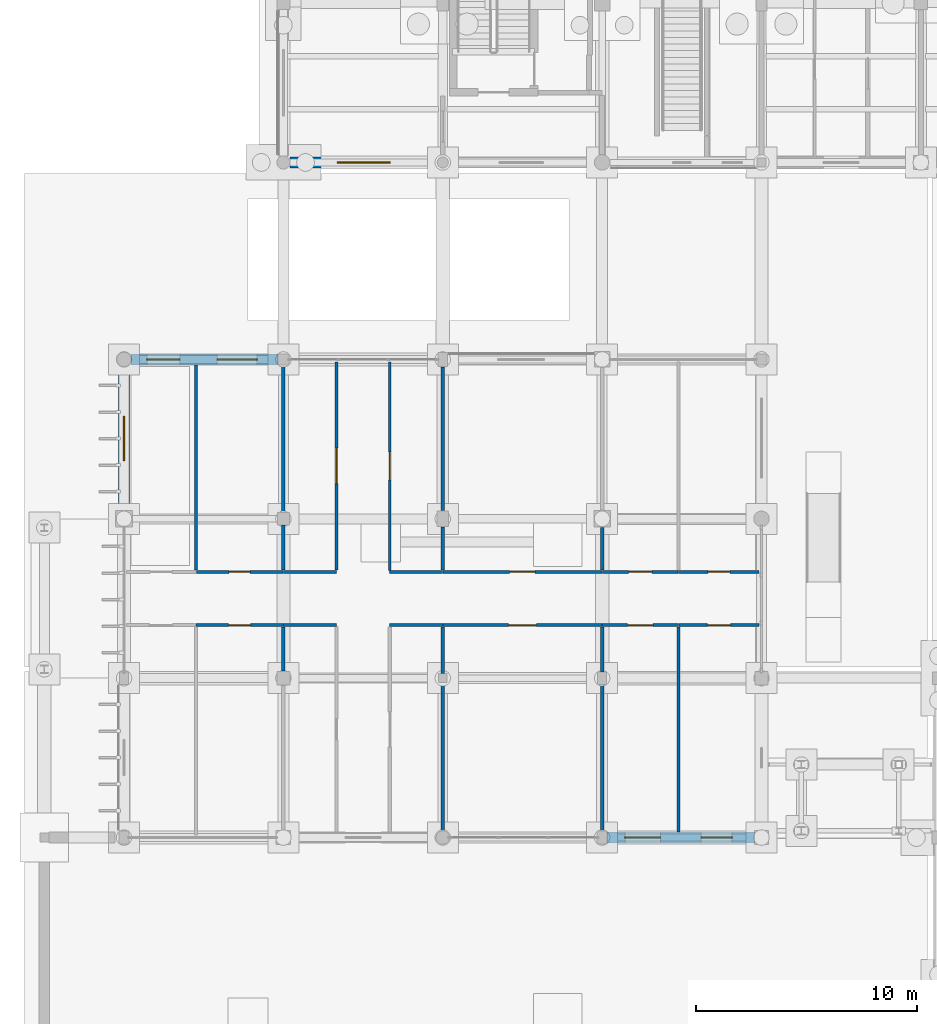
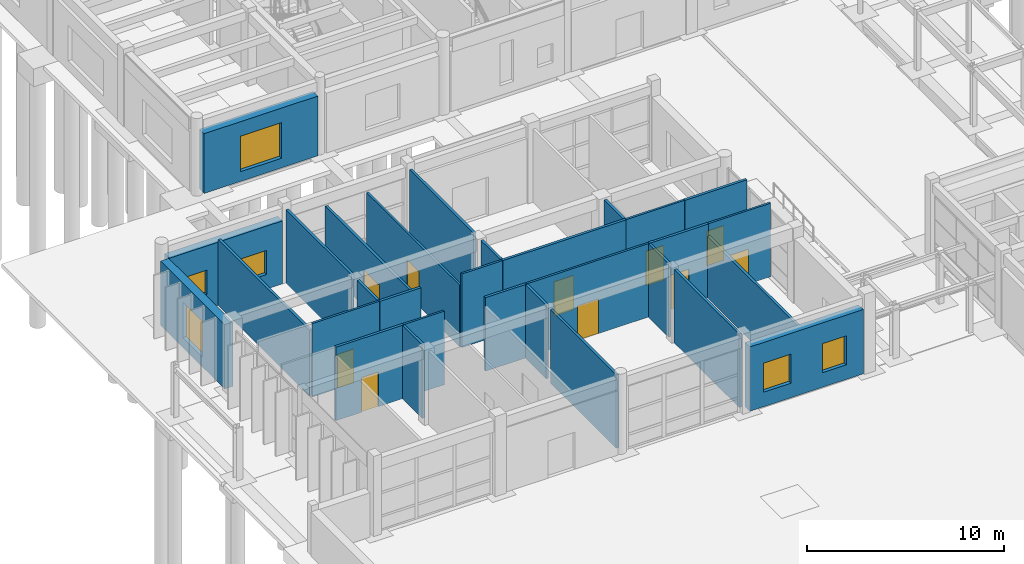
# One storey, part 96 of 143: 30 walls, 10 doors, 6 windows, 16 openings.
"""IFC4 building model written with IfcOpenShell, lengths in metres."""

from ifc_helpers import new_model, si_unit, direction, frame, frame_2d, origin, place, context, subcontext, project, spatial, rectangle, extrude, material, layer, layer_set, type_object, element, fill, save


model = new_model("IFC4")

# Units and contexts
model_context = context("Model", 3, precision=1e-05, world=origin(), true_north=direction((0.0, 1.0)))
body_context = subcontext(model_context, "Body", "Model", "MODEL_VIEW")
ifc_project = project(units=[si_unit("LENGTHUNIT", "METRE"), si_unit("AREAUNIT", "SQUARE_METRE"), si_unit("VOLUMEUNIT", "CUBIC_METRE"), si_unit("PLANEANGLEUNIT", "RADIAN"), si_unit("MASSUNIT", "GRAM", prefix="KILO")], contexts=[model_context])

# Site, building, storey
site_placement = place(None, origin())
site = spatial("IfcSite", under=ifc_project, at=site_placement, CompositionType="ELEMENT")
building_placement = place(site_placement, origin())
building = spatial("IfcBuilding", under=site, at=building_placement, Name="Steenspoor Specialist Clinic", CompositionType="ELEMENT")
storey_placement = place(building_placement, origin())
storey = spatial("IfcBuildingStorey", under=building, at=storey_placement, Name="L00", CompositionType="ELEMENT", Elevation=0.0)

# Wall, openings, windows
ifc_material_1 = material(Name="Volcanic basalt ashlar masonry", Category="masonry")
ifc_layer_1 = layer(ifc_material_1, 0.47998046875)
ifc_layer_set_1 = layer_set([ifc_layer_1], Name="Volcanic basalt ashlar masonry")
wall_type_1 = type_object("IfcWallType", Name="W-BASALT-480", PredefinedType="SOLIDWALL", material=ifc_layer_set_1)
wall_1_placement = place(storey_placement, frame((36.875, 34.64990234375, 0.0), z_axis=(0.0, 0.0, 1.0), x_axis=(-1.0, 0.0, 0.0)))
wall_1 = element("IfcWall", 1, at=wall_1_placement, inside=storey, type_object=wall_type_1, Name="Exterior Brick Wall EW-V3-L00-0070", PredefinedType="SOLIDWALL", context=body_context, shape_type="SweptSolid", body=[
    extrude(rectangle(XDim=6.64990234375, YDim=0.47998046875, at=frame_2d((3.324951171875, 0.0))), origin(), (0.0, 0.0, 1.0), 3.97998046875),
])
opening_1_placement = place(wall_1_placement, frame((1.00244140625, 0.0, 0.89990234375)))
opening_1 = element("IfcOpeningElement", 2, at=opening_1_placement, cuts=wall_1, Name="Opening WN-06", PredefinedType="OPENING", context=body_context, shape_type="SweptSolid", body=[
    extrude(rectangle(XDim=1.39990234375, YDim=1.800048828125, at=frame_2d((0.699951171875, 0.89990234375))), frame((0.0, 0.25, 0.0), z_axis=(0.0, -1.0, 0.0), x_axis=(1.0, 0.0, 0.0)), (0.0, 0.0, 1.0), 0.5),
])
opening_2_placement = place(wall_1_placement, frame((4.24755859375, 0.0, 0.89990234375)))
opening_2 = element("IfcOpeningElement", 3, at=opening_2_placement, cuts=wall_1, Name="Opening WN-07", PredefinedType="OPENING", context=body_context, shape_type="SweptSolid", body=[
    extrude(rectangle(XDim=1.60009765625, YDim=1.800048828125, at=frame_2d((0.800048828125, 0.89990234375))), frame((0.0, 0.25, 0.0), z_axis=(0.0, -1.0, 0.0), x_axis=(1.0, 0.0, 0.0)), (0.0, 0.0, 1.0), 0.5),
])
ifc_material_2 = material(Name="Thermally broken aluminium and low-emissivity glass", Category="aluminium")
window_type_1 = type_object("IfcWindowType", Name="WN-EXT-140X180", PartitioningType="SINGLE_PANEL", PredefinedType="WINDOW", material=ifc_material_2)
window_1_placement = place(opening_1_placement, origin())
window_1 = element("IfcWindow", 4, at=window_1_placement, inside=storey, type_object=window_type_1, Name="Window 0086", OverallHeight=1.800048828125, OverallWidth=1.39990234375, PartitioningType="SINGLE_PANEL", PredefinedType="WINDOW", context=body_context, shape_type="SweptSolid", body=[
    extrude(rectangle(XDim=1.39990234375, YDim=1.800048828125, at=frame_2d((0.699951171875, 0.89990234375))), frame((0.0, 0.030029296875, 0.0), z_axis=(0.0, -1.0, 0.0), x_axis=(1.0, 0.0, 0.0)), (0.0, 0.0, 1.0), 0.06005859375),
])
fill(opening_1, window_1)
window_type_2 = type_object("IfcWindowType", Name="WN-EXT-160X180", PartitioningType="SINGLE_PANEL", PredefinedType="WINDOW", material=ifc_material_2)
window_2_placement = place(opening_2_placement, origin())
window_2 = element("IfcWindow", 5, at=window_2_placement, inside=storey, type_object=window_type_2, Name="Window 0087", OverallHeight=1.800048828125, OverallWidth=1.60009765625, PartitioningType="SINGLE_PANEL", PredefinedType="WINDOW", context=body_context, shape_type="SweptSolid", body=[
    extrude(rectangle(XDim=1.60009765625, YDim=1.800048828125, at=frame_2d((0.800048828125, 0.89990234375))), frame((0.0, 0.030029296875, 0.0), z_axis=(0.0, -1.0, 0.0), x_axis=(1.0, 0.0, 0.0)), (0.0, 0.0, 1.0), 0.06005859375),
])
fill(opening_2, window_2)

# Wall, opening, window
wall_2_placement = place(storey_placement, frame((8.39990234375, 49.425048828125, 0.0), z_axis=(0.0, 0.0, 1.0), x_axis=(0.0, 1.0, 0.0)))
wall_2 = element("IfcWall", 6, at=wall_2_placement, inside=storey, type_object=wall_type_1, Name="Exterior Brick Wall EW-V3-L00-0073", PredefinedType="SOLIDWALL", context=body_context, shape_type="SweptSolid", body=[
    extrude(rectangle(XDim=6.5, YDim=0.47998046875, at=frame_2d((3.25, 0.0))), origin(), (0.0, 0.0, 1.0), 3.97998046875),
])
opening_3_placement = place(wall_2_placement, frame((2.25, 0.0, 0.60009765625)))
opening_3 = element("IfcOpeningElement", 7, at=opening_3_placement, cuts=wall_2, Name="Opening WN-17", PredefinedType="OPENING", context=body_context, shape_type="SweptSolid", body=[
    extrude(rectangle(XDim=2.0, YDim=2.199951171875, at=frame_2d((1.0, 1.10009765625))), frame((0.0, 0.25, 0.0), z_axis=(0.0, -1.0, 0.0), x_axis=(1.0, 0.0, 0.0)), (0.0, 0.0, 1.0), 0.5),
])
window_type_3 = type_object("IfcWindowType", Name="WN-EXT-200X220", PartitioningType="SINGLE_PANEL", PredefinedType="WINDOW", material=ifc_material_2)
window_3_placement = place(opening_3_placement, origin())
window_3 = element("IfcWindow", 8, at=window_3_placement, inside=storey, type_object=window_type_3, Name="Window 0089", OverallHeight=2.199951171875, OverallWidth=2.0, PartitioningType="SINGLE_PANEL", PredefinedType="WINDOW", context=body_context, shape_type="SweptSolid", body=[
    extrude(rectangle(XDim=2.0, YDim=2.199951171875, at=frame_2d((1.0, 1.10009765625))), frame((0.0, 0.030029296875, 0.0), z_axis=(0.0, -1.0, 0.0), x_axis=(1.0, 0.0, 0.0)), (0.0, 0.0, 1.0), 0.06005859375),
])
fill(opening_3, window_3)

# Wall, openings, windows
wall_3_placement = place(storey_placement, frame((8.72509765625, 56.25, 0.0), z_axis=(0.0, 0.0, 1.0), x_axis=(1.0, 0.0, 0.0)))
wall_3 = element("IfcWall", 9, at=wall_3_placement, inside=storey, type_object=wall_type_1, Name="Exterior Brick Wall EW-V3-L00-0074", PredefinedType="SOLIDWALL", context=body_context, shape_type="SweptSolid", body=[
    extrude(rectangle(XDim=6.625, YDim=0.47998046875, at=frame_2d((3.3125, 0.0))), origin(), (0.0, 0.0, 1.0), 3.89990234375),
])
opening_4_placement = place(wall_3_placement, frame((0.702392578125, 0.0, 0.89990234375)))
opening_4 = element("IfcOpeningElement", 10, at=opening_4_placement, cuts=wall_3, Name="Opening WN-12", PredefinedType="OPENING", context=body_context, shape_type="SweptSolid", body=[
    extrude(rectangle(XDim=1.5, YDim=1.5, at=frame_2d((0.75, 0.75))), frame((0.0, 0.25, 0.0), z_axis=(0.0, -1.0, 0.0), x_axis=(1.0, 0.0, 0.0)), (0.0, 0.0, 1.0), 0.5),
])
opening_5_placement = place(wall_3_placement, frame((3.885009765625, 0.0, 0.89990234375)))
opening_5 = element("IfcOpeningElement", 11, at=opening_5_placement, cuts=wall_3, Name="Opening WN-13", PredefinedType="OPENING", context=body_context, shape_type="SweptSolid", body=[
    extrude(rectangle(XDim=1.800048828125, YDim=1.5, at=frame_2d((0.89990234375, 0.75))), frame((0.0, 0.25, 0.0), z_axis=(0.0, -1.0, 0.0), x_axis=(1.0, 0.0, 0.0)), (0.0, 0.0, 1.0), 0.5),
])
window_type_4 = type_object("IfcWindowType", Name="WN-EXT-150X150", PartitioningType="SINGLE_PANEL", PredefinedType="WINDOW", material=ifc_material_2)
window_4_placement = place(opening_4_placement, origin())
window_4 = element("IfcWindow", 12, at=window_4_placement, inside=storey, type_object=window_type_4, Name="Window 0090", OverallHeight=1.5, OverallWidth=1.5, PartitioningType="SINGLE_PANEL", PredefinedType="WINDOW", context=body_context, shape_type="SweptSolid", body=[
    extrude(rectangle(XDim=1.5, YDim=1.5, at=frame_2d((0.75, 0.75))), frame((0.0, 0.030029296875, 0.0), z_axis=(0.0, -1.0, 0.0), x_axis=(1.0, 0.0, 0.0)), (0.0, 0.0, 1.0), 0.06005859375),
])
fill(opening_4, window_4)
window_type_5 = type_object("IfcWindowType", Name="WN-EXT-180X150", PartitioningType="SINGLE_PANEL", PredefinedType="WINDOW", material=ifc_material_2)
window_5_placement = place(opening_5_placement, origin())
window_5 = element("IfcWindow", 13, at=window_5_placement, inside=storey, type_object=window_type_5, Name="Window 0091", OverallHeight=1.5, OverallWidth=1.800048828125, PartitioningType="SINGLE_PANEL", PredefinedType="WINDOW", context=body_context, shape_type="SweptSolid", body=[
    extrude(rectangle(XDim=1.800048828125, YDim=1.5, at=frame_2d((0.89990234375, 0.75))), frame((0.0, 0.030029296875, 0.0), z_axis=(0.0, -1.0, 0.0), x_axis=(1.0, 0.0, 0.0)), (0.0, 0.0, 1.0), 0.06005859375),
])
fill(opening_5, window_5)

# Wall, opening, window
wall_4_placement = place(storey_placement, frame((22.550048828125, 65.14990234375, 0.0), z_axis=(0.0, 0.0, 1.0), x_axis=(-1.0, 0.0, 0.0)))
wall_4 = element("IfcWall", 14, at=wall_4_placement, inside=storey, type_object=wall_type_1, Name="Exterior Brick Wall EW-V5-L00-0236", PredefinedType="SOLIDWALL", context=body_context, shape_type="SweptSolid", body=[
    extrude(rectangle(XDim=6.650146484375, YDim=0.47998046875, at=frame_2d((3.3251953125, 0.0))), origin(), (0.0, 0.0, 1.0), 3.699951171875),
])
opening_6_placement = place(wall_4_placement, frame((2.125, 0.0, 0.60009765625)))
opening_6 = element("IfcOpeningElement", 15, at=opening_6_placement, cuts=wall_4, Name="Opening WN-18", PredefinedType="OPENING", context=body_context, shape_type="SweptSolid", body=[
    extrude(rectangle(XDim=2.39990234375, YDim=2.199951171875, at=frame_2d((1.199951171875, 1.10009765625))), frame((0.0, 0.25, 0.0), z_axis=(0.0, -1.0, 0.0), x_axis=(1.0, 0.0, 0.0)), (0.0, 0.0, 1.0), 0.5),
])
window_type_6 = type_object("IfcWindowType", Name="WN-EXT-240X220", PartitioningType="SINGLE_PANEL", PredefinedType="WINDOW", material=ifc_material_2)
window_6_placement = place(opening_6_placement, origin())
window_6 = element("IfcWindow", 16, at=window_6_placement, inside=storey, type_object=window_type_6, Name="Window 0258", OverallHeight=2.199951171875, OverallWidth=2.39990234375, PartitioningType="SINGLE_PANEL", PredefinedType="WINDOW", context=body_context, shape_type="SweptSolid", body=[
    extrude(rectangle(XDim=2.39990234375, YDim=2.199951171875, at=frame_2d((1.199951171875, 1.10009765625))), frame((0.0, 0.030029296875, 0.0), z_axis=(0.0, -1.0, 0.0), x_axis=(1.0, 0.0, 0.0)), (0.0, 0.0, 1.0), 0.06005859375),
])
fill(opening_6, window_6)

# Wall, opening, door
ifc_material_3 = material(Name="Gypsum acoustic clinical partition", Category="gypsum")
ifc_layer_2 = layer(ifc_material_3, 0.14990234375)
ifc_layer_set_2 = layer_set([ifc_layer_2], Name="Gypsum acoustic clinical partition")
wall_type_2 = type_object("IfcWallType", Name="W-CLIN-150", PredefinedType="PARTITIONING", material=ifc_layer_set_2)
wall_5_placement = place(storey_placement, frame((11.64990234375, 44.25, 0.0), z_axis=(0.0, 0.0, 1.0), x_axis=(1.0, 0.0, 0.0)))
wall_5 = element("IfcWall", 17, at=wall_5_placement, inside=storey, type_object=wall_type_2, Name="Interior Partition IW-V3-L00-0202", PredefinedType="PARTITIONING", context=body_context, shape_type="SweptSolid", body=[
    extrude(rectangle(XDim=3.9501953125, YDim=0.14990234375, at=frame_2d((1.97509765625, 0.0))), origin(), (0.0, 0.0, 1.0), 4.550048828125),
])
opening_7_placement = place(wall_5_placement, frame((1.47509765625, 0.0, 0.0)))
opening_7 = element("IfcOpeningElement", 18, at=opening_7_placement, cuts=wall_5, Name="Opening D0131", PredefinedType="OPENING", context=body_context, shape_type="SweptSolid", body=[
    extrude(rectangle(XDim=1.0, YDim=2.14990234375, at=frame_2d((0.5, 1.074951171875))), frame((0.0, 0.0849609375, 0.0), z_axis=(0.0, -1.0, 0.0), x_axis=(1.0, 0.0, 0.0)), (0.0, 0.0, 1.0), 0.169921875),
])
ifc_material_4 = material(Name="Moisture-resistant HPL accessible WC door", Category="wood")
door_type_1 = type_object("IfcDoorType", Name="DT-AWC-100X215", OperationType="NOTDEFINED", PredefinedType="DOOR", material=ifc_material_4)
door_1_placement = place(opening_7_placement, origin())
door_1 = element("IfcDoor", 19, at=door_1_placement, inside=storey, type_object=door_type_1, Name="Clinical Door D0131", OperationType="SINGLE_SWING_RIGHT", OverallHeight=2.14990234375, OverallWidth=1.0, PredefinedType="DOOR", context=body_context, shape_type="SweptSolid", body=[
    extrude(rectangle(XDim=1.0, YDim=2.14990234375, at=frame_2d((0.5, 1.074951171875))), frame((0.0, 0.02490234375, 0.0), z_axis=(0.0, -1.0, 0.0), x_axis=(1.0, 0.0, 0.0)), (0.0, 0.0, 1.0), 0.050048828125),
])
fill(opening_7, door_1)

# Wall
wall_6_placement = place(storey_placement, frame((20.39990234375, 44.25, 0.0), z_axis=(0.0, 0.0, 1.0), x_axis=(1.0, 0.0, 0.0)))
element("IfcWall", 20, at=wall_6_placement, inside=storey, type_object=wall_type_2, Name="Interior Partition IW-V3-L00-0203", PredefinedType="PARTITIONING", context=body_context, shape_type="SweptSolid", body=[
    extrude(rectangle(XDim=2.400146484375, YDim=0.14990234375, at=frame_2d((1.2001953125, 0.0))), origin(), (0.0, 0.0, 1.0), 4.550048828125),
])

# Wall, opening, door
wall_7_placement = place(storey_placement, frame((30.0, 44.25, 0.0), z_axis=(0.0, 0.0, 1.0), x_axis=(1.0, 0.0, 0.0)))
wall_7 = element("IfcWall", 21, at=wall_7_placement, inside=storey, type_object=wall_type_2, Name="Interior Partition IW-V3-L00-0205", PredefinedType="PARTITIONING", context=body_context, shape_type="SweptSolid", body=[
    extrude(rectangle(XDim=3.449951171875, YDim=0.14990234375, at=frame_2d((1.72509765625, 0.0))), origin(), (0.0, 0.0, 1.0), 4.550048828125),
])
opening_8_placement = place(wall_7_placement, frame((1.14990234375, 0.0, 0.0)))
opening_8 = element("IfcOpeningElement", 22, at=opening_8_placement, cuts=wall_7, Name="Opening D0135", PredefinedType="OPENING", context=body_context, shape_type="SweptSolid", body=[
    extrude(rectangle(XDim=1.14990234375, YDim=2.14990234375, at=frame_2d((0.574951171875, 1.074951171875))), frame((0.0, 0.0849609375, 0.0), z_axis=(0.0, -1.0, 0.0), x_axis=(1.0, 0.0, 0.0)), (0.0, 0.0, 1.0), 0.169921875),
])
ifc_material_5 = material(Name="Solid-core hardwood clinical door", Category="wood")
door_type_2 = type_object("IfcDoorType", Name="DT-CONS-115X215", OperationType="NOTDEFINED", PredefinedType="DOOR", material=ifc_material_5)
door_2_placement = place(opening_8_placement, origin())
door_2 = element("IfcDoor", 23, at=door_2_placement, inside=storey, type_object=door_type_2, Name="Clinical Door D0135", OperationType="SINGLE_SWING_RIGHT", OverallHeight=2.14990234375, OverallWidth=1.14990234375, PredefinedType="DOOR", context=body_context, shape_type="SweptSolid", body=[
    extrude(rectangle(XDim=1.14990234375, YDim=2.14990234375, at=frame_2d((0.574951171875, 1.074951171875))), frame((0.0, 0.02490234375, 0.0), z_axis=(0.0, -1.0, 0.0), x_axis=(1.0, 0.0, 0.0)), (0.0, 0.0, 1.0), 0.050048828125),
])
fill(opening_8, door_2)

# Wall
wall_8_placement = place(storey_placement, frame((15.60009765625, 46.64990234375, 0.0), z_axis=(0.0, 0.0, 1.0), x_axis=(1.0, 0.0, 0.0)))
element("IfcWall", 24, at=wall_8_placement, inside=storey, type_object=wall_type_2, Name="Interior Partition IW-V3-L00-0207", PredefinedType="PARTITIONING", context=body_context, shape_type="SweptSolid", body=[
    extrude(rectangle(XDim=2.39990234375, YDim=0.14990234375, at=frame_2d((1.199951171875, 0.0))), origin(), (0.0, 0.0, 1.0), 4.550048828125),
])

# Wall, opening, door
wall_9_placement = place(storey_placement, frame((18.0, 46.739990234375, 0.0), z_axis=(0.0, 0.0, 1.0), x_axis=(0.0, 1.0, 0.0)))
wall_9 = element("IfcWall", 25, at=wall_9_placement, inside=storey, type_object=wall_type_2, Name="Interior Partition IW-V3-L00-0208", PredefinedType="PARTITIONING", context=body_context, shape_type="SweptSolid", body=[
    extrude(rectangle(XDim=9.405029296875, YDim=0.14990234375, at=frame_2d((4.70263671875, 0.0))), origin(), (0.0, 0.0, 1.0), 3.820068359375),
])
opening_9_placement = place(wall_9_placement, frame((3.902587890625, 0.0, 0.0)))
opening_9 = element("IfcOpeningElement", 26, at=opening_9_placement, cuts=wall_9, Name="Opening D0139", PredefinedType="OPENING", context=body_context, shape_type="SweptSolid", body=[
    extrude(rectangle(XDim=1.60009765625, YDim=2.25, at=frame_2d((0.800048828125, 1.125))), frame((0.0, 0.0849609375, 0.0), z_axis=(0.0, -1.0, 0.0), x_axis=(1.0, 0.0, 0.0)), (0.0, 0.0, 1.0), 0.169921875),
])
ifc_material_6 = material(Name="Hygienic HPL clinical timber door", Category="wood")
door_type_3 = type_object("IfcDoorType", Name="DT-PROC-160X225", OperationType="NOTDEFINED", PredefinedType="DOOR", material=ifc_material_6)
door_3_placement = place(opening_9_placement, origin())
door_3 = element("IfcDoor", 27, at=door_3_placement, inside=storey, type_object=door_type_3, Name="Clinical Door D0139", OperationType="SINGLE_SWING_RIGHT", OverallHeight=2.25, OverallWidth=1.60009765625, PredefinedType="DOOR", context=body_context, shape_type="SweptSolid", body=[
    extrude(rectangle(XDim=1.60009765625, YDim=2.25, at=frame_2d((0.800048828125, 1.125))), frame((0.0, 0.02490234375, 0.0), z_axis=(0.0, -1.0, 0.0), x_axis=(1.0, 0.0, 0.0)), (0.0, 0.0, 1.0), 0.050048828125),
])
fill(opening_9, door_3)

wall_10_placement = place(storey_placement, frame((22.800048828125, 46.64990234375, 0.0), z_axis=(0.0, 0.0, 1.0), x_axis=(1.0, 0.0, 0.0)))
wall_10 = element("IfcWall", 28, at=wall_10_placement, inside=storey, type_object=wall_type_2, Name="Interior Partition IW-V3-L00-0209", PredefinedType="PARTITIONING", context=body_context, shape_type="SweptSolid", body=[
    extrude(rectangle(XDim=7.199951171875, YDim=0.14990234375, at=frame_2d((3.60009765625, 0.0))), origin(), (0.0, 0.0, 1.0), 4.550048828125),
])
opening_10_placement = place(wall_10_placement, frame((3.02490234375, 0.0, 0.0)))
opening_10 = element("IfcOpeningElement", 29, at=opening_10_placement, cuts=wall_10, Name="Opening D0141", PredefinedType="OPENING", context=body_context, shape_type="SweptSolid", body=[
    extrude(rectangle(XDim=1.14990234375, YDim=2.14990234375, at=frame_2d((0.574951171875, 1.074951171875))), frame((0.0, 0.0849609375, 0.0), z_axis=(0.0, -1.0, 0.0), x_axis=(1.0, 0.0, 0.0)), (0.0, 0.0, 1.0), 0.169921875),
])
door_4_placement = place(opening_10_placement, origin())
door_4 = element("IfcDoor", 30, at=door_4_placement, inside=storey, type_object=door_type_2, Name="Clinical Door D0141", OperationType="SINGLE_SWING_RIGHT", OverallHeight=2.14990234375, OverallWidth=1.14990234375, PredefinedType="DOOR", context=body_context, shape_type="SweptSolid", body=[
    extrude(rectangle(XDim=1.14990234375, YDim=2.14990234375, at=frame_2d((0.574951171875, 1.074951171875))), frame((0.0, 0.02490234375, 0.0), z_axis=(0.0, -1.0, 0.0), x_axis=(1.0, 0.0, 0.0)), (0.0, 0.0, 1.0), 0.050048828125),
])
fill(opening_10, door_4)

wall_11_placement = place(storey_placement, frame((33.449951171875, 46.64990234375, 0.0), z_axis=(0.0, 0.0, 1.0), x_axis=(1.0, 0.0, 0.0)))
wall_11 = element("IfcWall", 31, at=wall_11_placement, inside=storey, type_object=wall_type_2, Name="Interior Partition IW-V3-L00-0210", PredefinedType="PARTITIONING", context=body_context, shape_type="SweptSolid", body=[
    extrude(rectangle(XDim=3.64501953125, YDim=0.14990234375, at=frame_2d((1.822509765625, 0.0))), origin(), (0.0, 0.0, 1.0), 4.550048828125),
])
opening_11_placement = place(wall_11_placement, frame((1.322509765625, 0.0, 0.0)))
opening_11 = element("IfcOpeningElement", 32, at=opening_11_placement, cuts=wall_11, Name="Opening D0143", PredefinedType="OPENING", context=body_context, shape_type="SweptSolid", body=[
    extrude(rectangle(XDim=1.0, YDim=2.14990234375, at=frame_2d((0.5, 1.074951171875))), frame((0.0, 0.0849609375, 0.0), z_axis=(0.0, -1.0, 0.0), x_axis=(1.0, 0.0, 0.0)), (0.0, 0.0, 1.0), 0.169921875),
])
door_5_placement = place(opening_11_placement, origin())
door_5 = element("IfcDoor", 33, at=door_5_placement, inside=storey, type_object=door_type_1, Name="Clinical Door D0143", OperationType="SINGLE_SWING_RIGHT", OverallHeight=2.14990234375, OverallWidth=1.0, PredefinedType="DOOR", context=body_context, shape_type="SweptSolid", body=[
    extrude(rectangle(XDim=1.0, YDim=2.14990234375, at=frame_2d((0.5, 1.074951171875))), frame((0.0, 0.02490234375, 0.0), z_axis=(0.0, -1.0, 0.0), x_axis=(1.0, 0.0, 0.0)), (0.0, 0.0, 1.0), 0.050048828125),
])
fill(opening_11, door_5)

# Walls
wall_12_placement = place(storey_placement, frame((15.60009765625, 42.1650390625, 0.0), z_axis=(0.0, 0.0, 1.0), x_axis=(0.0, 1.0, 0.0)))
element("IfcWall", 34, at=wall_12_placement, inside=storey, type_object=wall_type_2, Name="Interior Partition IW-V3-L00-0584", PredefinedType="PARTITIONING", context=body_context, shape_type="SweptSolid", body=[
    extrude(rectangle(XDim=1.994873046875, YDim=0.14990234375, at=frame_2d((0.99755859375, 0.0))), origin(), (0.0, 0.0, 1.0), 4.550048828125),
])
wall_13_placement = place(storey_placement, frame((22.800048828125, 34.965087890625, 0.0), z_axis=(0.0, 0.0, 1.0), x_axis=(0.0, 1.0, 0.0)))
element("IfcWall", 35, at=wall_13_placement, inside=storey, type_object=wall_type_2, Name="Interior Partition IW-V3-L00-0585", PredefinedType="PARTITIONING", context=body_context, shape_type="SweptSolid", body=[
    extrude(rectangle(XDim=6.669921875, YDim=0.14990234375, at=frame_2d((3.3349609375, 0.0))), origin(), (0.0, 0.0, 1.0), 4.550048828125),
])
wall_14_placement = place(storey_placement, frame((22.800048828125, 42.06494140625, 0.0), z_axis=(0.0, 0.0, 1.0), x_axis=(0.0, 1.0, 0.0)))
element("IfcWall", 36, at=wall_14_placement, inside=storey, type_object=wall_type_2, Name="Interior Partition IW-V3-L00-0586", PredefinedType="PARTITIONING", context=body_context, shape_type="SweptSolid", body=[
    extrude(rectangle(XDim=2.094970703125, YDim=0.14990234375, at=frame_2d((1.04736328125, 0.0))), origin(), (0.0, 0.0, 1.0), 4.550048828125),
])
wall_15_placement = place(storey_placement, frame((30.0, 34.965087890625, 0.0), z_axis=(0.0, 0.0, 1.0), x_axis=(0.0, 1.0, 0.0)))
element("IfcWall", 37, at=wall_15_placement, inside=storey, type_object=wall_type_2, Name="Interior Partition IW-V3-L00-0587", PredefinedType="PARTITIONING", context=body_context, shape_type="SweptSolid", body=[
    extrude(rectangle(XDim=6.594970703125, YDim=0.14990234375, at=frame_2d((3.29736328125, 0.0))), origin(), (0.0, 0.0, 1.0), 4.550048828125),
])
wall_16_placement = place(storey_placement, frame((30.0, 42.139892578125, 0.0), z_axis=(0.0, 0.0, 1.0), x_axis=(0.0, 1.0, 0.0)))
element("IfcWall", 38, at=wall_16_placement, inside=storey, type_object=wall_type_2, Name="Interior Partition IW-V3-L00-0588", PredefinedType="PARTITIONING", context=body_context, shape_type="SweptSolid", body=[
    extrude(rectangle(XDim=2.02001953125, YDim=0.14990234375, at=frame_2d((1.010009765625, 0.0))), origin(), (0.0, 0.0, 1.0), 4.550048828125),
])
wall_17_placement = place(storey_placement, frame((33.449951171875, 34.905029296875, 0.0), z_axis=(0.0, 0.0, 1.0), x_axis=(0.0, 1.0, 0.0)))
element("IfcWall", 39, at=wall_17_placement, inside=storey, type_object=wall_type_2, Name="Interior Partition IW-V3-L00-0589", PredefinedType="PARTITIONING", context=body_context, shape_type="SweptSolid", body=[
    extrude(rectangle(XDim=9.2548828125, YDim=0.14990234375, at=frame_2d((4.62744140625, 0.0))), origin(), (0.0, 0.0, 1.0), 3.820068359375),
])
wall_18_placement = place(storey_placement, frame((11.64990234375, 46.739990234375, 0.0), z_axis=(0.0, 0.0, 1.0), x_axis=(0.0, 1.0, 0.0)))
element("IfcWall", 40, at=wall_18_placement, inside=storey, type_object=wall_type_2, Name="Interior Partition IW-V3-L00-0590", PredefinedType="PARTITIONING", context=body_context, shape_type="SweptSolid", body=[
    extrude(rectangle(XDim=9.255126953125, YDim=0.14990234375, at=frame_2d((4.62744140625, 0.0))), origin(), (0.0, 0.0, 1.0), 4.070068359375),
])
wall_19_placement = place(storey_placement, frame((15.60009765625, 46.739990234375, 0.0), z_axis=(0.0, 0.0, 1.0), x_axis=(0.0, 1.0, 0.0)))
element("IfcWall", 41, at=wall_19_placement, inside=storey, type_object=wall_type_2, Name="Interior Partition IW-V3-L00-0591", PredefinedType="PARTITIONING", context=body_context, shape_type="SweptSolid", body=[
    extrude(rectangle(XDim=2.02001953125, YDim=0.14990234375, at=frame_2d((1.010009765625, 0.0))), origin(), (0.0, 0.0, 1.0), 4.550048828125),
])
wall_20_placement = place(storey_placement, frame((15.60009765625, 49.340087890625, 0.0), z_axis=(0.0, 0.0, 1.0), x_axis=(0.0, 1.0, 0.0)))
element("IfcWall", 42, at=wall_20_placement, inside=storey, type_object=wall_type_2, Name="Interior Partition IW-V3-L00-0592", PredefinedType="PARTITIONING", context=body_context, shape_type="SweptSolid", body=[
    extrude(rectangle(XDim=6.64501953125, YDim=0.14990234375, at=frame_2d((3.322509765625, 0.0))), origin(), (0.0, 0.0, 1.0), 4.550048828125),
])
wall_21_placement = place(storey_placement, frame((22.800048828125, 46.739990234375, 0.0), z_axis=(0.0, 0.0, 1.0), x_axis=(0.0, 1.0, 0.0)))
element("IfcWall", 43, at=wall_21_placement, inside=storey, type_object=wall_type_2, Name="Interior Partition IW-V3-L00-0593", PredefinedType="PARTITIONING", context=body_context, shape_type="SweptSolid", body=[
    extrude(rectangle(XDim=1.945068359375, YDim=0.14990234375, at=frame_2d((0.97265625, 0.0))), origin(), (0.0, 0.0, 1.0), 4.550048828125),
])
wall_22_placement = place(storey_placement, frame((22.800048828125, 49.4150390625, 0.0), z_axis=(0.0, 0.0, 1.0), x_axis=(0.0, 1.0, 0.0)))
element("IfcWall", 44, at=wall_22_placement, inside=storey, type_object=wall_type_2, Name="Interior Partition IW-V3-L00-0594", PredefinedType="PARTITIONING", context=body_context, shape_type="SweptSolid", body=[
    extrude(rectangle(XDim=6.494873046875, YDim=0.14990234375, at=frame_2d((3.24755859375, 0.0))), origin(), (0.0, 0.0, 1.0), 4.550048828125),
])
wall_23_placement = place(storey_placement, frame((30.0, 46.739990234375, 0.0), z_axis=(0.0, 0.0, 1.0), x_axis=(0.0, 1.0, 0.0)))
element("IfcWall", 45, at=wall_23_placement, inside=storey, type_object=wall_type_2, Name="Interior Partition IW-V3-L00-0595", PredefinedType="PARTITIONING", context=body_context, shape_type="SweptSolid", body=[
    extrude(rectangle(XDim=1.919921875, YDim=0.14990234375, at=frame_2d((0.9599609375, 0.0))), origin(), (0.0, 0.0, 1.0), 4.550048828125),
])
ifc_material_7 = material(Name="Gypsum studio partition board", Category="gypsum")
ifc_layer_3 = layer(ifc_material_7, 0.1201171875)
ifc_layer_set_3 = layer_set([ifc_layer_3], Name="Gypsum studio partition board")
wall_type_3 = type_object("IfcWallType", Name="W-PART-120", PredefinedType="PARTITIONING", material=ifc_layer_set_3)
wall_24_placement = place(storey_placement, frame((15.614990234375, 44.25, 0.0), z_axis=(0.0, 0.0, 1.0), x_axis=(1.0, 0.0, 0.0)))
element("IfcWall", 46, at=wall_24_placement, inside=storey, type_object=wall_type_3, Name="Interior Partition IW-V3-L00-0318", PredefinedType="PARTITIONING", context=body_context, shape_type="SweptSolid", body=[
    extrude(rectangle(XDim=2.385009765625, YDim=0.1201171875, at=frame_2d((1.1923828125, 0.0))), origin(), (0.0, 0.0, 1.0), 4.550048828125),
])

# Wall, opening, door
wall_25_placement = place(storey_placement, frame((22.81494140625, 44.25, 0.0), z_axis=(0.0, 0.0, 1.0), x_axis=(1.0, 0.0, 0.0)))
wall_25 = element("IfcWall", 47, at=wall_25_placement, inside=storey, type_object=wall_type_3, Name="Interior Partition IW-V3-L00-0320", PredefinedType="PARTITIONING", context=body_context, shape_type="SweptSolid", body=[
    extrude(rectangle(XDim=7.170166015625, YDim=0.1201171875, at=frame_2d((3.5849609375, 0.0))), origin(), (0.0, 0.0, 1.0), 4.550048828125),
])
opening_12_placement = place(wall_25_placement, frame((2.9599609375, 0.0, 0.0)))
opening_12 = element("IfcOpeningElement", 48, at=opening_12_placement, cuts=wall_25, Name="Opening D0134", PredefinedType="OPENING", context=body_context, shape_type="SweptSolid", body=[
    extrude(rectangle(XDim=1.25, YDim=2.14990234375, at=frame_2d((0.625, 1.074951171875))), frame((0.0, 0.070068359375, 0.0), z_axis=(0.0, -1.0, 0.0), x_axis=(1.0, 0.0, 0.0)), (0.0, 0.0, 1.0), 0.14013671875),
])
door_type_4 = type_object("IfcDoorType", Name="DT-EXAM-125X215", OperationType="NOTDEFINED", PredefinedType="DOOR", material=ifc_material_6)
door_6_placement = place(opening_12_placement, origin())
door_6 = element("IfcDoor", 49, at=door_6_placement, inside=storey, type_object=door_type_4, Name="Clinical Door D0134", OperationType="SINGLE_SWING_LEFT", OverallHeight=2.14990234375, OverallWidth=1.25, PredefinedType="DOOR", context=body_context, shape_type="SweptSolid", body=[
    extrude(rectangle(XDim=1.25, YDim=2.14990234375, at=frame_2d((0.625, 1.074951171875))), frame((0.0, 0.02490234375, 0.0), z_axis=(0.0, -1.0, 0.0), x_axis=(1.0, 0.0, 0.0)), (0.0, 0.0, 1.0), 0.050048828125),
])
fill(opening_12, door_6)

wall_26_placement = place(storey_placement, frame((33.465087890625, 44.25, 0.0), z_axis=(0.0, 0.0, 1.0), x_axis=(1.0, 0.0, 0.0)))
wall_26 = element("IfcWall", 50, at=wall_26_placement, inside=storey, type_object=wall_type_3, Name="Interior Partition IW-V3-L00-0321", PredefinedType="PARTITIONING", context=body_context, shape_type="SweptSolid", body=[
    extrude(rectangle(XDim=3.6298828125, YDim=0.1201171875, at=frame_2d((1.81494140625, 0.0))), origin(), (0.0, 0.0, 1.0), 4.550048828125),
])
opening_13_placement = place(wall_26_placement, frame((1.2900390625, 0.0, 0.0)))
opening_13 = element("IfcOpeningElement", 51, at=opening_13_placement, cuts=wall_26, Name="Opening D0136", PredefinedType="OPENING", context=body_context, shape_type="SweptSolid", body=[
    extrude(rectangle(XDim=1.050048828125, YDim=2.14990234375, at=frame_2d((0.52490234375, 1.074951171875))), frame((0.0, 0.070068359375, 0.0), z_axis=(0.0, -1.0, 0.0), x_axis=(1.0, 0.0, 0.0)), (0.0, 0.0, 1.0), 0.14013671875),
])
ifc_material_8 = material(Name="Solid-core hardwood office door", Category="wood")
door_type_5 = type_object("IfcDoorType", Name="DT-OFF-105X215", OperationType="NOTDEFINED", PredefinedType="DOOR", material=ifc_material_8)
door_7_placement = place(opening_13_placement, origin())
door_7 = element("IfcDoor", 52, at=door_7_placement, inside=storey, type_object=door_type_5, Name="Clinical Door D0136", OperationType="SINGLE_SWING_LEFT", OverallHeight=2.14990234375, OverallWidth=1.050048828125, PredefinedType="DOOR", context=body_context, shape_type="SweptSolid", body=[
    extrude(rectangle(XDim=1.050048828125, YDim=2.14990234375, at=frame_2d((0.52490234375, 1.074951171875))), frame((0.0, 0.02490234375, 0.0), z_axis=(0.0, -1.0, 0.0), x_axis=(1.0, 0.0, 0.0)), (0.0, 0.0, 1.0), 0.050048828125),
])
fill(opening_13, door_7)

wall_27_placement = place(storey_placement, frame((11.6650390625, 46.64990234375, 0.0), z_axis=(0.0, 0.0, 1.0), x_axis=(1.0, 0.0, 0.0)))
wall_27 = element("IfcWall", 53, at=wall_27_placement, inside=storey, type_object=wall_type_3, Name="Interior Partition IW-V3-L00-0322", PredefinedType="PARTITIONING", context=body_context, shape_type="SweptSolid", body=[
    extrude(rectangle(XDim=3.919921875, YDim=0.1201171875, at=frame_2d((1.9599609375, 0.0))), origin(), (0.0, 0.0, 1.0), 4.550048828125),
])
opening_14_placement = place(wall_27_placement, frame((1.485107421875, 0.0, 0.0)))
opening_14 = element("IfcOpeningElement", 54, at=opening_14_placement, cuts=wall_27, Name="Opening D0138", PredefinedType="OPENING", context=body_context, shape_type="SweptSolid", body=[
    extrude(rectangle(XDim=0.949951171875, YDim=2.10009765625, at=frame_2d((0.47509765625, 1.050048828125))), frame((0.0, 0.070068359375, 0.0), z_axis=(0.0, -1.0, 0.0), x_axis=(1.0, 0.0, 0.0)), (0.0, 0.0, 1.0), 0.14013671875),
])
ifc_material_9 = material(Name="Moisture-resistant HPL sanitary door", Category="wood")
door_type_6 = type_object("IfcDoorType", Name="DT-WC-095X210", OperationType="NOTDEFINED", PredefinedType="DOOR", material=ifc_material_9)
door_8_placement = place(opening_14_placement, origin())
door_8 = element("IfcDoor", 55, at=door_8_placement, inside=storey, type_object=door_type_6, Name="Clinical Door D0138", OperationType="SINGLE_SWING_LEFT", OverallHeight=2.10009765625, OverallWidth=0.949951171875, PredefinedType="DOOR", context=body_context, shape_type="SweptSolid", body=[
    extrude(rectangle(XDim=0.949951171875, YDim=2.10009765625, at=frame_2d((0.47509765625, 1.050048828125))), frame((0.0, 0.02490234375, 0.0), z_axis=(0.0, -1.0, 0.0), x_axis=(1.0, 0.0, 0.0)), (0.0, 0.0, 1.0), 0.050048828125),
])
fill(opening_14, door_8)

# Wall
wall_28_placement = place(storey_placement, frame((20.39990234375, 46.64990234375, 0.0), z_axis=(0.0, 0.0, 1.0), x_axis=(1.0, 0.0, 0.0)))
element("IfcWall", 56, at=wall_28_placement, inside=storey, type_object=wall_type_3, Name="Interior Partition IW-V3-L00-0323", PredefinedType="PARTITIONING", context=body_context, shape_type="SweptSolid", body=[
    extrude(rectangle(XDim=2.385009765625, YDim=0.1201171875, at=frame_2d((1.1923828125, 0.0))), origin(), (0.0, 0.0, 1.0), 4.550048828125),
])

# Wall, opening, door
wall_29_placement = place(storey_placement, frame((20.39990234375, 46.72509765625, 0.0), z_axis=(0.0, 0.0, 1.0), x_axis=(0.0, 1.0, 0.0)))
wall_29 = element("IfcWall", 57, at=wall_29_placement, inside=storey, type_object=wall_type_3, Name="Interior Partition IW-V3-L00-0324", PredefinedType="PARTITIONING", context=body_context, shape_type="SweptSolid", body=[
    extrude(rectangle(XDim=9.419921875, YDim=0.1201171875, at=frame_2d((4.7099609375, 0.0))), origin(), (0.0, 0.0, 1.0), 3.820068359375),
])
opening_15_placement = place(wall_29_placement, frame((4.0849609375, 0.0, 0.0)))
opening_15 = element("IfcOpeningElement", 58, at=opening_15_placement, cuts=wall_29, Name="Opening D0140", PredefinedType="OPENING", context=body_context, shape_type="SweptSolid", body=[
    extrude(rectangle(XDim=1.25, YDim=2.14990234375, at=frame_2d((0.625, 1.074951171875))), frame((0.0, 0.070068359375, 0.0), z_axis=(0.0, -1.0, 0.0), x_axis=(1.0, 0.0, 0.0)), (0.0, 0.0, 1.0), 0.14013671875),
])
door_9_placement = place(opening_15_placement, origin())
door_9 = element("IfcDoor", 59, at=door_9_placement, inside=storey, type_object=door_type_4, Name="Clinical Door D0140", OperationType="SINGLE_SWING_LEFT", OverallHeight=2.14990234375, OverallWidth=1.25, PredefinedType="DOOR", context=body_context, shape_type="SweptSolid", body=[
    extrude(rectangle(XDim=1.25, YDim=2.14990234375, at=frame_2d((0.625, 1.074951171875))), frame((0.0, 0.02490234375, 0.0), z_axis=(0.0, -1.0, 0.0), x_axis=(1.0, 0.0, 0.0)), (0.0, 0.0, 1.0), 0.050048828125),
])
fill(opening_15, door_9)

wall_30_placement = place(storey_placement, frame((30.014892578125, 46.64990234375, 0.0), z_axis=(0.0, 0.0, 1.0), x_axis=(1.0, 0.0, 0.0)))
wall_30 = element("IfcWall", 60, at=wall_30_placement, inside=storey, type_object=wall_type_3, Name="Interior Partition IW-V3-L00-0325", PredefinedType="PARTITIONING", context=body_context, shape_type="SweptSolid", body=[
    extrude(rectangle(XDim=3.420166015625, YDim=0.1201171875, at=frame_2d((1.7099609375, 0.0))), origin(), (0.0, 0.0, 1.0), 4.550048828125),
])
opening_16_placement = place(wall_30_placement, frame((1.18505859375, 0.0, 0.0)))
opening_16 = element("IfcOpeningElement", 61, at=opening_16_placement, cuts=wall_30, Name="Opening D0142", PredefinedType="OPENING", context=body_context, shape_type="SweptSolid", body=[
    extrude(rectangle(XDim=1.050048828125, YDim=2.14990234375, at=frame_2d((0.52490234375, 1.074951171875))), frame((0.0, 0.070068359375, 0.0), z_axis=(0.0, -1.0, 0.0), x_axis=(1.0, 0.0, 0.0)), (0.0, 0.0, 1.0), 0.14013671875),
])
door_10_placement = place(opening_16_placement, origin())
door_10 = element("IfcDoor", 62, at=door_10_placement, inside=storey, type_object=door_type_5, Name="Clinical Door D0142", OperationType="SINGLE_SWING_LEFT", OverallHeight=2.14990234375, OverallWidth=1.050048828125, PredefinedType="DOOR", context=body_context, shape_type="SweptSolid", body=[
    extrude(rectangle(XDim=1.050048828125, YDim=2.14990234375, at=frame_2d((0.52490234375, 1.074951171875))), frame((0.0, 0.02490234375, 0.0), z_axis=(0.0, -1.0, 0.0), x_axis=(1.0, 0.0, 0.0)), (0.0, 0.0, 1.0), 0.050048828125),
])
fill(opening_16, door_10)

save(model, "model.ifc")
